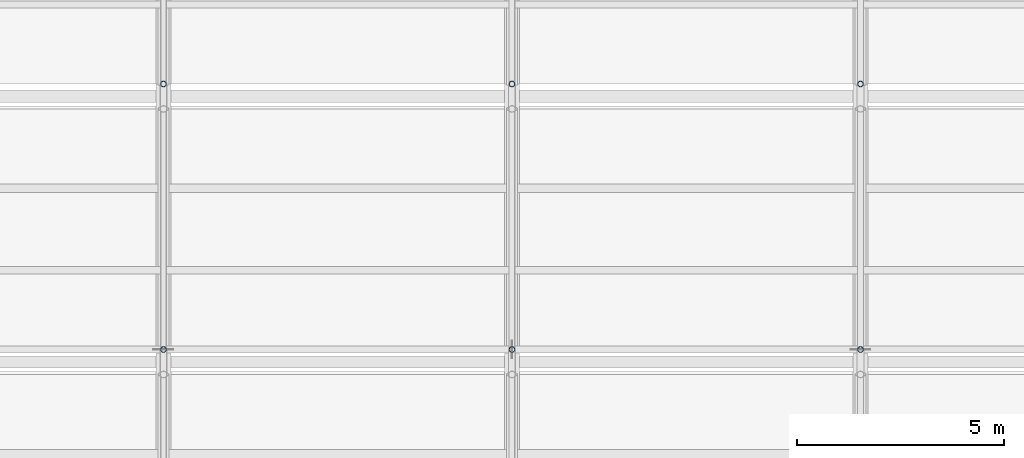
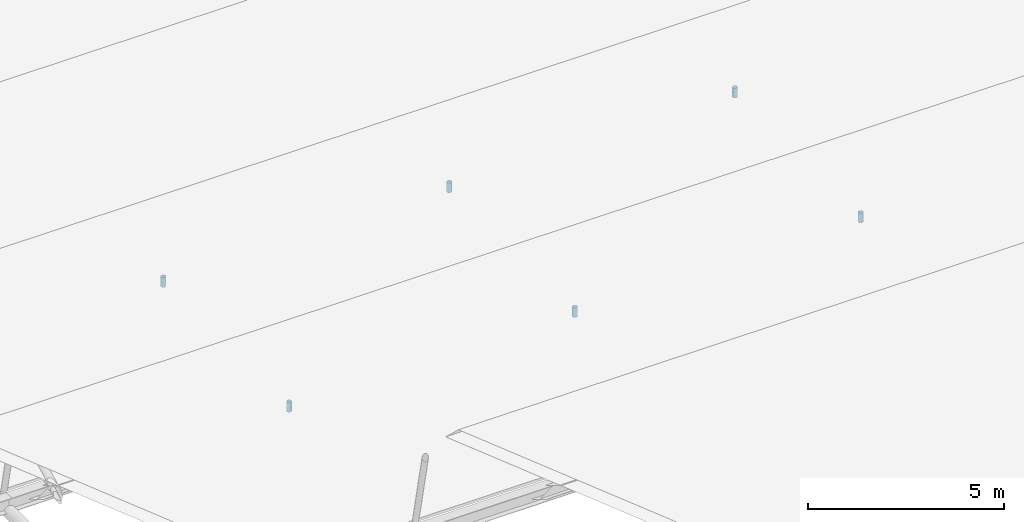
# One storey, part 127 of 194: 6 members.
"""IFC4 building model written with IfcOpenShell, lengths in metres."""

from ifc_helpers import new_model, si_unit, direction, frame, origin, origin_2d, place, context, subcontext, project, spatial, hollow_circle, extrude, material, material_profile, profile_set, type_object, element, save


model = new_model("IFC4")

# Units and contexts
model_context = context("Model", 3, precision=1e-05, world=origin(), true_north=direction((0.0, 1.0)))
body_context = subcontext(model_context, "Body", "Model", "MODEL_VIEW")
ifc_project = project(units=[si_unit("LENGTHUNIT", "METRE"), si_unit("AREAUNIT", "SQUARE_METRE"), si_unit("VOLUMEUNIT", "CUBIC_METRE"), si_unit("PLANEANGLEUNIT", "RADIAN"), si_unit("MASSUNIT", "GRAM", prefix="KILO")], contexts=[model_context])

# Site, building, storey
site_placement = place(None, origin())
site = spatial("IfcSite", under=ifc_project, at=site_placement, CompositionType="ELEMENT")
building_placement = place(site_placement, origin())
building = spatial("IfcBuilding", under=site, at=building_placement, Name="Kazenagashi Tramway Depot", CompositionType="ELEMENT")
storey_placement = place(building_placement, frame((0.0, 0.0, 23.7)))
storey = spatial("IfcBuildingStorey", under=building, at=storey_placement, Name="ROOF", CompositionType="ELEMENT", Elevation=23.7)

# Members
ifc_material = material(Name="Steel STK490", Category="steel")
ifc_material_profile = material_profile(ifc_material, hollow_circle(Radius=0.0699, WallThickness=0.0066, at=origin_2d()), Name="CHS-139.8x6.6")
ifc_profile_set = profile_set([ifc_material_profile], Name="Steel STK490")
member_type = type_object("IfcMemberType", Name="TS-02", PredefinedType="STRUT", material=ifc_profile_set)
for number, where, z_axis, x_axis, name in (
    (1, (103.6, 35.7, -8.9), (0.0, 0.0, 1.0), (1.0, 0.0, 0.0), "Roof Truss TS-02 MEM-1364"),
    (2, (103.6, 42.1, -8.9), (0.0, 0.0, 1.0), (1.0, 0.0, 0.0), "Roof Truss TS-02 MEM-1369"),
    (3, (112.0, 35.7, -8.9), (0.0, 0.0, 1.0), (1.0, 0.0, 0.0), "Roof Truss TS-02 MEM-1393"),
    (4, (112.0, 42.1, -8.9), (0.0, 0.0, 1.0), (1.0, 0.0, 0.0), "Roof Truss TS-02 MEM-1398"),
    (5, (120.4, 35.7, -8.9), (0.0, 0.0, 1.0), (1.0, 0.0, 0.0), "Roof Truss TS-02 MEM-1422"),
    (6, (120.4, 42.1, -8.9), (0.0, 0.0, 1.0), (1.0, 0.0, 0.0), "Roof Truss TS-02 MEM-1427"),
):
    element("IfcMember", number, at=place(storey_placement, frame(where, z_axis=z_axis, x_axis=x_axis)), inside=storey, type_object=member_type, Name=name, PredefinedType="STRUT", context=body_context, shape_type="SweptSolid", body=[
        extrude(hollow_circle(Radius=0.0699, WallThickness=0.0066, at=origin_2d()), origin(), (0.0, 0.0, 1.0), 0.3),
    ])

save(model, "model.ifc")
